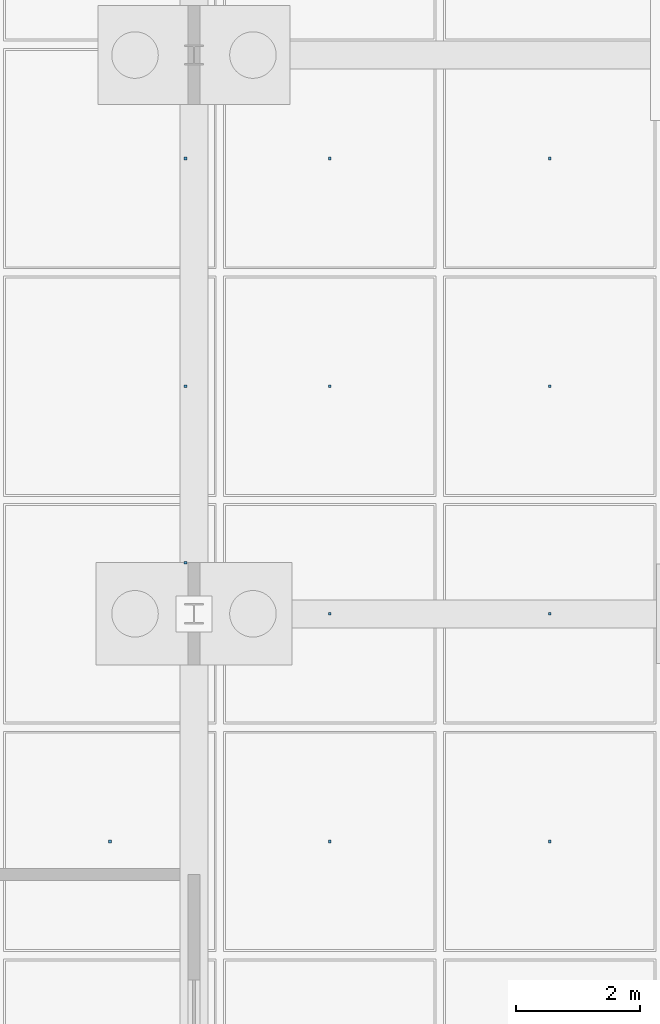
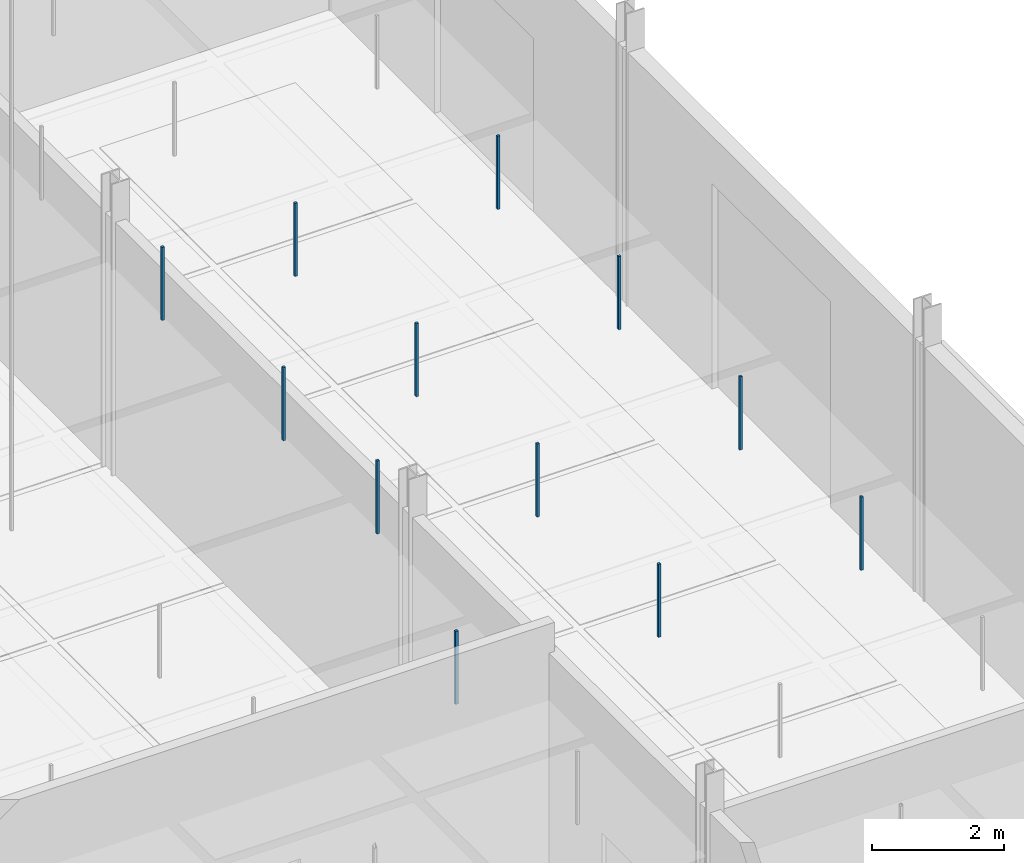
# One storey, part 151 of 180: 12 discrete accessories.
"""IFC4 building model written with IfcOpenShell, lengths in metres."""

from ifc_helpers import new_model, si_unit, direction, frame, origin, origin_2d, place, context, subcontext, project, spatial, rectangle, extrude, material, type_object, element, save


model = new_model("IFC4")

# Units and contexts
model_context = context("Model", 3, precision=1e-05, world=origin(), true_north=direction((0.0, 1.0)))
body_context = subcontext(model_context, "Body", "Model", "MODEL_VIEW")
ifc_project = project(units=[si_unit("LENGTHUNIT", "METRE"), si_unit("AREAUNIT", "SQUARE_METRE"), si_unit("VOLUMEUNIT", "CUBIC_METRE"), si_unit("PLANEANGLEUNIT", "RADIAN"), si_unit("MASSUNIT", "GRAM", prefix="KILO"), si_unit("THERMODYNAMICTEMPERATUREUNIT", "KELVIN"), si_unit("POWERUNIT", "WATT")], contexts=[model_context])

# Site, building, storey
site_placement = place(None, origin())
site = spatial("IfcSite", under=ifc_project, at=site_placement, CompositionType="ELEMENT")
building_placement = place(site_placement, origin())
building = spatial("IfcBuilding", under=site, at=building_placement, Name="Tallowbark Science Centre", CompositionType="ELEMENT")
storey_placement = place(building_placement, origin())
storey = spatial("IfcBuildingStorey", under=building, at=storey_placement, Name="L00", CompositionType="ELEMENT", Elevation=0.0)

# Discrete accessories
ifc_material = material(Name="Galvanised Steel Grade C350L0 (350 MPa)", Category="steel")
discrete_accessory_type = type_object("IfcDiscreteAccessoryType", Name="ACC-CLG-HNG", PredefinedType="BRACKET", material=ifc_material)
for number, where, z_axis, x_axis, name in (
    (1, (147.145751953125, 14.333251953125, 3.8095703125), (0.0, 0.0, 1.0), (1.0, 0.0, 0.0), "Ceiling Hanger Bracket L00-273"),
    (2, (148.36328125, 18.82177734375, 3.8095703125), (0.0, 0.0, 1.0), (1.0, 0.0, 0.0), "Ceiling Hanger Bracket L00-274"),
    (3, (148.36328125, 21.666748046875, 3.8095703125), (0.0, 0.0, 1.0), (1.0, 0.0, 0.0), "Ceiling Hanger Bracket L00-275"),
    (4, (148.36328125, 25.333251953125, 3.8095703125), (0.0, 0.0, 1.0), (1.0, 0.0, 0.0), "Ceiling Hanger Bracket L00-276"),
    (5, (150.6875, 14.333251953125, 3.8095703125), (0.0, 0.0, 1.0), (1.0, 0.0, 0.0), "Ceiling Hanger Bracket L00-282"),
    (6, (150.6875, 18.0, 3.8095703125), (0.0, 0.0, 1.0), (1.0, 0.0, 0.0), "Ceiling Hanger Bracket L00-283"),
    (7, (150.6875, 21.666748046875, 3.8095703125), (0.0, 0.0, 1.0), (1.0, 0.0, 0.0), "Ceiling Hanger Bracket L00-284"),
    (8, (150.6875, 25.333251953125, 3.8095703125), (0.0, 0.0, 1.0), (1.0, 0.0, 0.0), "Ceiling Hanger Bracket L00-285"),
    (9, (154.229248046875, 14.333251953125, 3.8095703125), (0.0, 0.0, 1.0), (1.0, 0.0, 0.0), "Ceiling Hanger Bracket L00-291"),
    (10, (154.229248046875, 18.0, 3.8095703125), (0.0, 0.0, 1.0), (1.0, 0.0, 0.0), "Ceiling Hanger Bracket L00-292"),
    (11, (154.229248046875, 21.666748046875, 3.8095703125), (0.0, 0.0, 1.0), (1.0, 0.0, 0.0), "Ceiling Hanger Bracket L00-293"),
    (12, (154.229248046875, 25.333251953125, 3.8095703125), (0.0, 0.0, 1.0), (1.0, 0.0, 0.0), "Ceiling Hanger Bracket L00-294"),
):
    element("IfcDiscreteAccessory", number, at=place(storey_placement, frame(where, z_axis=z_axis, x_axis=x_axis)), inside=storey, type_object=discrete_accessory_type, Name=name, PredefinedType="BRACKET", context=body_context, shape_type="SweptSolid", body=[
        extrude(rectangle(XDim=0.044921875, YDim=0.044921875, at=origin_2d()), origin(), (0.0, 0.0, 1.0), 1.353515625),
    ])

save(model, "model.ifc")
